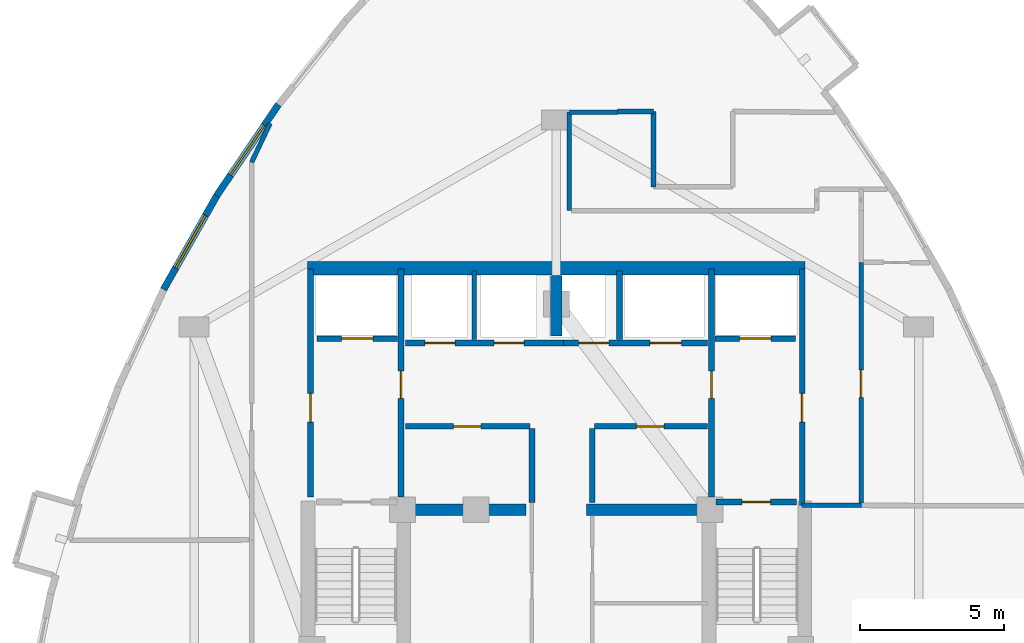
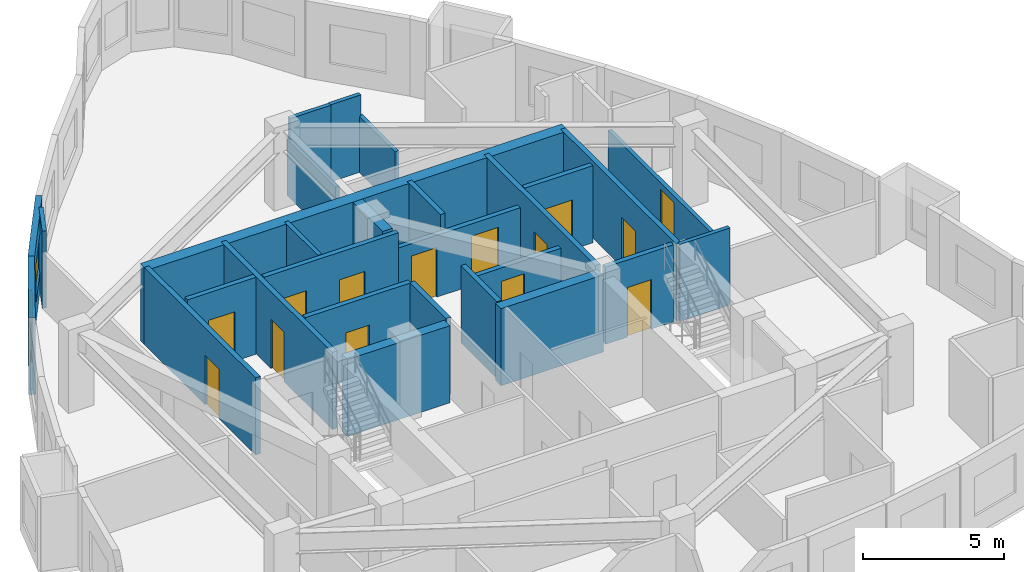
# One storey, part 5 of 8: 28 walls, 14 doors, 2 windows, 16 openings.
"""IFC4 building model written with IfcOpenShell, lengths in metres."""

from ifc_helpers import new_model, si_unit, direction, frame, frame_2d, origin, place, context, subcontext, project, spatial, rectangle, extrude, material, layer, layer_set, type_object, element, fill, save


model = new_model("IFC4")

# Units and contexts
model_context = context("Model", 3, precision=1e-05, world=origin(), true_north=direction((0.0, 1.0)))
body_context = subcontext(model_context, "Body", "Model", "MODEL_VIEW")
ifc_project = project(units=[si_unit("LENGTHUNIT", "METRE"), si_unit("AREAUNIT", "SQUARE_METRE"), si_unit("VOLUMEUNIT", "CUBIC_METRE"), si_unit("PLANEANGLEUNIT", "RADIAN"), si_unit("MASSUNIT", "GRAM", prefix="KILO")], contexts=[model_context])

# Site, building, storey
site_placement = place(None, origin())
site = spatial("IfcSite", under=ifc_project, at=site_placement, CompositionType="ELEMENT")
building_placement = place(site_placement, origin())
building = spatial("IfcBuilding", under=site, at=building_placement, Name="Miruveldt Soraemaru", CompositionType="ELEMENT")
storey_placement = place(building_placement, frame((0.0, 0.0, 237.60009765625)))
storey = spatial("IfcBuildingStorey", under=building, at=storey_placement, Name="L65", CompositionType="ELEMENT", Elevation=237.60009765625)

# Walls
ifc_material_1 = material(Name="Concrete C70/85 (70 MPa)", Category="concrete")
ifc_layer_1 = layer(ifc_material_1, 0.5, Name="Concrete C70/85 (70 MPa)", Category="concrete")
ifc_layer_set_1 = layer_set([ifc_layer_1], Name="Concrete C70/85 (70 MPa)")
wall_type_1 = type_object("IfcWallType", Name="WALL-BW-500", PredefinedType="SHEAR", material=ifc_layer_set_1)
wall_1_placement = place(storey_placement, frame((44.0, 50.10009765625, 0.0), z_axis=(0.0, 0.0, 1.0), x_axis=(0.0, 1.0, 0.0)))
element("IfcWall", 1, at=wall_1_placement, inside=storey, type_object=wall_type_1, Name="L65 Core Buttress Shear Wall BN", PredefinedType="SHEAR", context=body_context, shape_type="SweptSolid", body=[
    extrude(rectangle(XDim=2.099853515625, YDim=0.39990234375, at=frame_2d((1.0498046875, 0.0))), origin(), (0.0, 0.0, 1.0), 3.344970703125),
])
for number, where, z_axis, x_axis, name in (
    (2, (38.75, 44.050048828125, 0.0), (0.0, 0.0, 1.0), (1.0, 0.0, 0.0), "L65 Core Buttress Shear Wall BW"),
    (3, (45.050048828125, 44.050048828125, 0.0), (0.0, 0.0, 1.0), (1.0, 0.0, 0.0), "L65 Core Buttress Shear Wall BE"),
):
    element("IfcWall", number, at=place(storey_placement, frame(where, z_axis=z_axis, x_axis=x_axis)), inside=storey, type_object=wall_type_1, Name=name, PredefinedType="SHEAR", context=body_context, shape_type="SweptSolid", body=[
        extrude(rectangle(XDim=4.199951171875, YDim=0.39990234375, at=frame_2d((2.10009765625, 0.0))), origin(), (0.0, 0.0, 1.0), 3.344970703125),
    ])
ifc_material_2 = material(Name="Concrete C60/75 (60 MPa)", Category="concrete")
ifc_layer_2 = layer(ifc_material_2, 0.47998046875, Name="Concrete C60/75 (60 MPa)", Category="concrete")
ifc_layer_set_2 = layer_set([ifc_layer_2], Name="Concrete C60/75 (60 MPa)")
wall_type_2 = type_object("IfcWallType", Name="WALL-CW-480", PredefinedType="SHEAR", material=ifc_layer_set_2)
wall_2_placement = place(storey_placement, frame((35.35009765625, 52.449951171875, 0.0), z_axis=(0.0, 0.0, 1.0), x_axis=(1.0, 0.0, 0.0)))
element("IfcWall", 4, at=wall_2_placement, inside=storey, type_object=wall_type_2, Name="L65 Central Core Shear Wall N", PredefinedType="SHEAR", context=body_context, shape_type="SweptSolid", body=[
    extrude(rectangle(XDim=17.2998046875, YDim=0.47998046875, at=frame_2d((8.64990234375, 0.0))), origin(), (0.0, 0.0, 1.0), 3.344970703125),
])

# Wall, opening, window
ifc_material_3 = material(Name="Precast concrete C45/55 (45 MPa)", Category="concrete")
ifc_layer_3 = layer(ifc_material_3, 0.239990234375, Name="Precast concrete C45/55 (45 MPa)", Category="concrete")
ifc_layer_set_3 = layer_set([ifc_layer_3], Name="Precast concrete C45/55 (45 MPa)")
wall_type_3 = type_object("IfcWallType", Name="WALL-EXT-PC240", PredefinedType="SOLIDWALL", material=ifc_layer_set_3)
wall_3_placement = place(storey_placement, frame((34.33203125, 58.144287109375, 0.0), z_axis=(0.0, 0.0, 1.0), x_axis=(-0.560811544935, -0.827943483015, 0.0)))
wall_3 = element("IfcWall", 5, at=wall_3_placement, inside=storey, type_object=wall_type_3, Name="L65 Precast Concrete Facade Wall 9", PredefinedType="SOLIDWALL", context=body_context, shape_type="SweptSolid", body=[
    extrude(rectangle(XDim=3.8349609375, YDim=0.239990234375, at=frame_2d((1.91748046875, 0.0))), origin(), (0.0, 0.0, 1.0), 3.344970703125),
])
opening_1_placement = place(wall_3_placement, frame((0.866943359375, 0.0, 0.800048828125)))
opening_1 = element("IfcOpeningElement", 6, at=opening_1_placement, cuts=wall_3, Name="Opening WN-1", PredefinedType="OPENING", context=body_context, shape_type="SweptSolid", body=[
    extrude(rectangle(XDim=2.10009765625, YDim=1.699951171875, at=frame_2d((1.050048828125, 0.85009765625))), frame((0.0, 0.1298828125, 0.0), z_axis=(0.0, -1.0, 0.0), x_axis=(1.0, 0.0, 0.0)), (0.0, 0.0, 1.0), 0.260009765625),
])
ifc_material_4 = material(Name="Triple low-e insulated glazing", Category="glass")
window_type = type_object("IfcWindowType", Name="WIN-PUNCH-2100x1700", PartitioningType="SINGLE_PANEL", PredefinedType="WINDOW", material=ifc_material_4)
window_1_placement = place(opening_1_placement, origin())
window_1 = element("IfcWindow", 7, at=window_1_placement, inside=storey, type_object=window_type, Name="L65 Punched Triple-Glazed Window 09.1", OverallHeight=1.699951171875, OverallWidth=2.10009765625, PartitioningType="SINGLE_PANEL", PredefinedType="WINDOW", context=body_context, shape_type="SweptSolid", body=[
    extrude(rectangle(XDim=2.10009765625, YDim=1.699951171875, at=frame_2d((1.050048828125, 0.85009765625))), frame((0.0, 0.030029296875, 0.0), z_axis=(0.0, -1.0, 0.0), x_axis=(1.0, 0.0, 0.0)), (0.0, 0.0, 1.0), 0.06005859375),
])
fill(opening_1, window_1)

wall_4_placement = place(storey_placement, frame((32.218505859375, 55.028564453125, 0.0), z_axis=(0.0, 0.0, 1.0), x_axis=(-0.493418236868, -0.869792184103, 0.0)))
wall_4 = element("IfcWall", 8, at=wall_4_placement, inside=storey, type_object=wall_type_3, Name="L65 Precast Concrete Facade Wall 10", PredefinedType="SOLIDWALL", context=body_context, shape_type="SweptSolid", body=[
    extrude(rectangle(XDim=3.810791015625, YDim=0.239990234375, at=frame_2d((1.9052734375, 0.0))), origin(), (0.0, 0.0, 1.0), 3.344970703125),
])
opening_2_placement = place(wall_4_placement, frame((0.85498046875, 0.0, 0.800048828125)))
opening_2 = element("IfcOpeningElement", 9, at=opening_2_placement, cuts=wall_4, Name="Opening WN-1", PredefinedType="OPENING", context=body_context, shape_type="SweptSolid", body=[
    extrude(rectangle(XDim=2.10009765625, YDim=1.699951171875, at=frame_2d((1.050048828125, 0.85009765625))), frame((0.0, 0.1298828125, 0.0), z_axis=(0.0, -1.0, 0.0), x_axis=(1.0, 0.0, 0.0)), (0.0, 0.0, 1.0), 0.260009765625),
])
window_2_placement = place(opening_2_placement, origin())
window_2 = element("IfcWindow", 10, at=window_2_placement, inside=storey, type_object=window_type, Name="L65 Punched Triple-Glazed Window 10.1", OverallHeight=1.699951171875, OverallWidth=2.10009765625, PartitioningType="SINGLE_PANEL", PredefinedType="WINDOW", context=body_context, shape_type="SweptSolid", body=[
    extrude(rectangle(XDim=2.10009765625, YDim=1.699951171875, at=frame_2d((1.050048828125, 0.85009765625))), frame((0.0, 0.030029296875, 0.0), z_axis=(0.0, -1.0, 0.0), x_axis=(1.0, 0.0, 0.0)), (0.0, 0.0, 1.0), 0.06005859375),
])
fill(opening_2, window_2)

# Wall, opening, door
ifc_material_5 = material(Name="Concrete C40/50 (40 MPa)", Category="concrete")
ifc_layer_4 = layer(ifc_material_5, 0.159912109375, Name="Concrete C40/50 (40 MPa)", Category="concrete")
ifc_layer_set_4 = layer_set([ifc_layer_4], Name="Concrete C40/50 (40 MPa)")
wall_type_4 = type_object("IfcWallType", Name="WALL-INT-RC160", PredefinedType="SOLIDWALL", material=ifc_layer_set_4)
wall_5_placement = place(storey_placement, frame((54.60009765625, 44.2060546875, 0.0), z_axis=(0.0, 0.0, 1.0), x_axis=(0.0, 1.0, 0.0)))
wall_5 = element("IfcWall", 11, at=wall_5_placement, inside=storey, type_object=wall_type_4, Name="L65 Partition Wall 2", PredefinedType="SOLIDWALL", context=body_context, shape_type="SweptSolid", body=[
    extrude(rectangle(XDim=8.450927734375, YDim=0.159912109375, at=frame_2d((4.2255859375, 0.0))), origin(), (0.0, 0.0, 1.0), 2.432861328125),
])
opening_3_placement = place(wall_5_placement, frame((3.75, 0.0, 0.0)))
opening_3 = element("IfcOpeningElement", 12, at=opening_3_placement, cuts=wall_5, Name="Opening FD2", PredefinedType="OPENING", context=body_context, shape_type="SweptSolid", body=[
    extrude(rectangle(XDim=0.949951171875, YDim=2.14990234375, at=frame_2d((0.47509765625, 1.074951171875))), frame((0.0, 0.08984375, 0.0), z_axis=(0.0, -1.0, 0.0), x_axis=(1.0, 0.0, 0.0)), (0.0, 0.0, 1.0), 0.179931640625),
])
ifc_material_6 = material(Name="Anodised aluminium EN AW-6063 T6", Category="aluminium")
door_type_1 = type_object("IfcDoorType", Name="DOOR-FD2-950", OperationType="NOTDEFINED", PredefinedType="DOOR", material=ifc_material_6)
door_1_placement = place(opening_3_placement, origin())
door_1 = element("IfcDoor", 13, at=door_1_placement, inside=storey, type_object=door_type_1, Name="L65 Unit 6502 Entrance Fire Door", OperationType="SINGLE_SWING_RIGHT", OverallHeight=2.14990234375, OverallWidth=0.949951171875, PredefinedType="DOOR", context=body_context, shape_type="SweptSolid", body=[
    extrude(rectangle(XDim=0.949951171875, YDim=2.14990234375, at=frame_2d((0.47509765625, 1.074951171875))), frame((0.0, 0.02490234375, 0.0), z_axis=(0.0, -1.0, 0.0), x_axis=(1.0, 0.0, 0.0)), (0.0, 0.0, 1.0), 0.050048828125),
])
fill(opening_3, door_1)

# Walls
wall_6_placement = place(storey_placement, frame((44.449951171875, 54.449951171875, 0.0), z_axis=(0.0, 0.0, 1.0), x_axis=(0.0, 1.0, 0.0)))
element("IfcWall", 14, at=wall_6_placement, inside=storey, type_object=wall_type_4, Name="L65 Partition Wall 35", PredefinedType="SOLIDWALL", context=body_context, shape_type="SweptSolid", body=[
    extrude(rectangle(XDim=3.429931640625, YDim=0.159912109375, at=frame_2d((1.71484375, 0.0))), origin(), (0.0, 0.0, 1.0), 2.432861328125),
])
wall_7_placement = place(storey_placement, frame((47.3798828125, 57.903076171875, 0.0), z_axis=(0.0, 0.0, 1.0), x_axis=(0.0, -1.0, 0.0)))
element("IfcWall", 15, at=wall_7_placement, inside=storey, type_object=wall_type_4, Name="L65 Partition Wall 38", PredefinedType="SOLIDWALL", context=body_context, shape_type="SweptSolid", body=[
    extrude(rectangle(XDim=2.623046875, YDim=0.159912109375, at=frame_2d((1.3115234375, 0.0))), origin(), (0.0, 0.0, 1.0), 2.432861328125),
])
wall_8_placement = place(storey_placement, frame((41.14990234375, 49.97998046875, 0.0), z_axis=(0.0, 0.0, 1.0), x_axis=(0.0, 1.0, 0.0)))
element("IfcWall", 16, at=wall_8_placement, inside=storey, type_object=wall_type_4, Name="L65 Core Compartment Wall PLH-DIV1", PredefinedType="SOLIDWALL", context=body_context, shape_type="SweptSolid", body=[
    extrude(rectangle(XDim=2.3701171875, YDim=0.159912109375, at=frame_2d((1.18505859375, 0.0))), origin(), (0.0, 0.0, 1.0), 3.344970703125),
])
wall_9_placement = place(storey_placement, frame((52.550048828125, 44.199951171875, 0.0), z_axis=(0.0, 0.0, 1.0), x_axis=(1.0, 0.0, 0.0)))
element("IfcWall", 17, at=wall_9_placement, inside=storey, type_object=wall_type_4, Name="L65 Partition Wall 15", PredefinedType="SOLIDWALL", context=body_context, shape_type="SweptSolid", body=[
    extrude(rectangle(XDim=2.06005859375, YDim=0.159912109375, at=frame_2d((1.030029296875, 0.0))), origin(), (0.0, 0.0, 1.0), 3.344970703125),
])
wall_10_placement = place(storey_placement, frame((44.449951171875, 57.8798828125, 0.0), z_axis=(0.0, 0.0, 1.0), x_axis=(1.0, 0.0, 0.0)))
element("IfcWall", 18, at=wall_10_placement, inside=storey, type_object=wall_type_4, Name="L65 Partition Wall 36", PredefinedType="SOLIDWALL", context=body_context, shape_type="SweptSolid", body=[
    extrude(rectangle(XDim=1.679931640625, YDim=0.159912109375, at=frame_2d((0.83984375, 0.0))), origin(), (0.0, 0.0, 1.0), 3.344970703125),
])
wall_11_placement = place(storey_placement, frame((33.39990234375, 56.134033203125, 0.0), z_axis=(0.0, 0.0, 1.0), x_axis=(0.428987208027, 0.903310564175, 0.0)))
element("IfcWall", 19, at=wall_11_placement, inside=storey, type_object=wall_type_4, Name="L65 Partition Pier Closure Return 1", PredefinedType="SOLIDWALL", context=body_context, shape_type="SweptSolid", body=[
    extrude(rectangle(XDim=1.50244140625, YDim=0.159912109375, at=frame_2d((0.751220703125, 0.0))), origin(), (0.0, 0.0, 1.0), 3.344970703125),
])
wall_12_placement = place(storey_placement, frame((46.1298828125, 57.903076171875, 0.0), z_axis=(0.0, 0.0, 1.0), x_axis=(1.0, 0.0, 0.0)))
element("IfcWall", 20, at=wall_12_placement, inside=storey, type_object=wall_type_4, Name="L65 Partition Wall 37", PredefinedType="SOLIDWALL", context=body_context, shape_type="SweptSolid", body=[
    extrude(rectangle(XDim=1.25, YDim=0.159912109375, at=frame_2d((0.625, 0.0))), origin(), (0.0, 0.0, 1.0), 3.344970703125),
])

# Wall, opening, door
ifc_layer_5 = layer(ifc_material_5, 0.199951171875, Name="Concrete C40/50 (40 MPa)", Category="concrete")
ifc_layer_set_5 = layer_set([ifc_layer_5], Name="Concrete C40/50 (40 MPa)")
wall_type_5 = type_object("IfcWallType", Name="WALL-INT-RC200", PredefinedType="SOLIDWALL", material=ifc_layer_set_5)
wall_13_placement = place(storey_placement, frame((52.550048828125, 44.199951171875, 0.0), z_axis=(0.0, 0.0, 1.0), x_axis=(0.0, 1.0, 0.0)))
wall_13 = element("IfcWall", 21, at=wall_13_placement, inside=storey, type_object=wall_type_5, Name="L65 Core Compartment Wall FFE-OUT", PredefinedType="SOLIDWALL", context=body_context, shape_type="SweptSolid", body=[
    extrude(rectangle(XDim=8.219970703125, YDim=0.199951171875, at=frame_2d((4.10986328125, 0.0))), origin(), (0.0, 0.0, 1.0), 3.344970703125),
])
opening_4_placement = place(wall_13_placement, frame((2.89990234375, 0.0, 0.0)))
opening_4 = element("IfcOpeningElement", 22, at=opening_4_placement, cuts=wall_13, Name="Opening FD1", PredefinedType="OPENING", context=body_context, shape_type="SweptSolid", body=[
    extrude(rectangle(XDim=1.0, YDim=2.14990234375, at=frame_2d((0.5, 1.074951171875))), frame((0.0, 0.10986328125, 0.0), z_axis=(0.0, -1.0, 0.0), x_axis=(1.0, 0.0, 0.0)), (0.0, 0.0, 1.0), 0.219970703125),
])
door_type_2 = type_object("IfcDoorType", Name="DOOR-FD1-1000", OperationType="NOTDEFINED", PredefinedType="DOOR", material=ifc_material_6)
door_2_placement = place(opening_4_placement, frame((1.0, 0.0, 0.0), z_axis=(0.0, 0.0, 1.0), x_axis=(-1.0, 0.0, 0.0)))
door_2 = element("IfcDoor", 23, at=door_2_placement, inside=storey, type_object=door_type_2, Name="L65 East Firefighting Lobby Exit Door", OperationType="SINGLE_SWING_RIGHT", OverallHeight=2.14990234375, OverallWidth=1.0, PredefinedType="DOOR", context=body_context, shape_type="SweptSolid", body=[
    extrude(rectangle(XDim=1.0, YDim=2.14990234375, at=frame_2d((0.5, 1.074951171875))), frame((0.0, 0.02490234375, 0.0), z_axis=(0.0, -1.0, 0.0), x_axis=(1.0, 0.0, 0.0)), (0.0, 0.0, 1.0), 0.050048828125),
])
fill(opening_4, door_2)

wall_14_placement = place(storey_placement, frame((35.449951171875, 44.5, 0.0), z_axis=(0.0, 0.0, 1.0), x_axis=(0.0, 1.0, 0.0)))
wall_14 = element("IfcWall", 24, at=wall_14_placement, inside=storey, type_object=wall_type_5, Name="L65 Core Compartment Wall FFW-OUT", PredefinedType="SOLIDWALL", context=body_context, shape_type="SweptSolid", body=[
    extrude(rectangle(XDim=7.919921875, YDim=0.199951171875, at=frame_2d((3.9599609375, 0.0))), origin(), (0.0, 0.0, 1.0), 3.344970703125),
])
opening_5_placement = place(wall_14_placement, frame((2.60009765625, 0.0, 0.0)))
opening_5 = element("IfcOpeningElement", 25, at=opening_5_placement, cuts=wall_14, Name="Opening FD1", PredefinedType="OPENING", context=body_context, shape_type="SweptSolid", body=[
    extrude(rectangle(XDim=1.0, YDim=2.14990234375, at=frame_2d((0.5, 1.074951171875))), frame((0.0, 0.10986328125, 0.0), z_axis=(0.0, -1.0, 0.0), x_axis=(1.0, 0.0, 0.0)), (0.0, 0.0, 1.0), 0.219970703125),
])
door_3_placement = place(opening_5_placement, origin())
door_3 = element("IfcDoor", 26, at=door_3_placement, inside=storey, type_object=door_type_2, Name="L65 West Firefighting Lobby Exit Door", OperationType="SINGLE_SWING_LEFT", OverallHeight=2.14990234375, OverallWidth=1.0, PredefinedType="DOOR", context=body_context, shape_type="SweptSolid", body=[
    extrude(rectangle(XDim=1.0, YDim=2.14990234375, at=frame_2d((0.5, 1.074951171875))), frame((0.0, 0.02490234375, 0.0), z_axis=(0.0, -1.0, 0.0), x_axis=(1.0, 0.0, 0.0)), (0.0, 0.0, 1.0), 0.050048828125),
])
fill(opening_5, door_3)

wall_15_placement = place(storey_placement, frame((38.60009765625, 44.5, 0.0), z_axis=(0.0, 0.0, 1.0), x_axis=(0.0, 1.0, 0.0)))
wall_15 = element("IfcWall", 27, at=wall_15_placement, inside=storey, type_object=wall_type_5, Name="L65 Core Compartment Wall FFW-IN", PredefinedType="SOLIDWALL", context=body_context, shape_type="SweptSolid", body=[
    extrude(rectangle(XDim=7.919921875, YDim=0.199951171875, at=frame_2d((3.9599609375, 0.0))), origin(), (0.0, 0.0, 1.0), 3.344970703125),
])
opening_6_placement = place(wall_15_placement, frame((3.425048828125, 0.0, 0.0)))
opening_6 = element("IfcOpeningElement", 28, at=opening_6_placement, cuts=wall_15, Name="Opening FD2", PredefinedType="OPENING", context=body_context, shape_type="SweptSolid", body=[
    extrude(rectangle(XDim=0.949951171875, YDim=2.14990234375, at=frame_2d((0.47509765625, 1.074951171875))), frame((0.0, 0.10986328125, 0.0), z_axis=(0.0, -1.0, 0.0), x_axis=(1.0, 0.0, 0.0)), (0.0, 0.0, 1.0), 0.219970703125),
])
door_4_placement = place(opening_6_placement, frame((0.949951171875, 0.0, 0.0), z_axis=(0.0, 0.0, 1.0), x_axis=(-1.0, 0.0, 0.0)))
door_4 = element("IfcDoor", 29, at=door_4_placement, inside=storey, type_object=door_type_1, Name="L65 Lift Lobby to West Fire Lobby Door", OperationType="SINGLE_SWING_RIGHT", OverallHeight=2.14990234375, OverallWidth=0.949951171875, PredefinedType="DOOR", context=body_context, shape_type="SweptSolid", body=[
    extrude(rectangle(XDim=0.949951171875, YDim=2.14990234375, at=frame_2d((0.47509765625, 1.074951171875))), frame((0.0, 0.02490234375, 0.0), z_axis=(0.0, -1.0, 0.0), x_axis=(1.0, 0.0, 0.0)), (0.0, 0.0, 1.0), 0.050048828125),
])
fill(opening_6, door_4)

wall_16_placement = place(storey_placement, frame((49.39990234375, 44.5, 0.0), z_axis=(0.0, 0.0, 1.0), x_axis=(0.0, 1.0, 0.0)))
wall_16 = element("IfcWall", 30, at=wall_16_placement, inside=storey, type_object=wall_type_5, Name="L65 Core Compartment Wall FFE-IN", PredefinedType="SOLIDWALL", context=body_context, shape_type="SweptSolid", body=[
    extrude(rectangle(XDim=7.919921875, YDim=0.199951171875, at=frame_2d((3.9599609375, 0.0))), origin(), (0.0, 0.0, 1.0), 3.344970703125),
])
opening_7_placement = place(wall_16_placement, frame((3.425048828125, 0.0, 0.0)))
opening_7 = element("IfcOpeningElement", 31, at=opening_7_placement, cuts=wall_16, Name="Opening FD2", PredefinedType="OPENING", context=body_context, shape_type="SweptSolid", body=[
    extrude(rectangle(XDim=0.949951171875, YDim=2.14990234375, at=frame_2d((0.47509765625, 1.074951171875))), frame((0.0, 0.10986328125, 0.0), z_axis=(0.0, -1.0, 0.0), x_axis=(1.0, 0.0, 0.0)), (0.0, 0.0, 1.0), 0.219970703125),
])
door_5_placement = place(opening_7_placement, origin())
door_5 = element("IfcDoor", 32, at=door_5_placement, inside=storey, type_object=door_type_1, Name="L65 Lift Lobby to East Fire Lobby Door", OperationType="SINGLE_SWING_LEFT", OverallHeight=2.14990234375, OverallWidth=0.949951171875, PredefinedType="DOOR", context=body_context, shape_type="SweptSolid", body=[
    extrude(rectangle(XDim=0.949951171875, YDim=2.14990234375, at=frame_2d((0.47509765625, 1.074951171875))), frame((0.0, 0.02490234375, 0.0), z_axis=(0.0, -1.0, 0.0), x_axis=(1.0, 0.0, 0.0)), (0.0, 0.0, 1.0), 0.050048828125),
])
fill(opening_7, door_5)

# Wall, openings, doors
wall_17_placement = place(storey_placement, frame((38.75, 49.85009765625, 0.0), z_axis=(0.0, 0.0, 1.0), x_axis=(1.0, 0.0, 0.0)))
wall_17 = element("IfcWall", 33, at=wall_17_placement, inside=storey, type_object=wall_type_5, Name="L65 Core Compartment Wall ROWA-SW", PredefinedType="SOLIDWALL", context=body_context, shape_type="SweptSolid", body=[
    extrude(rectangle(XDim=5.5, YDim=0.199951171875, at=frame_2d((2.75, 0.0))), origin(), (0.0, 0.0, 1.0), 3.344970703125),
])
opening_8_placement = place(wall_17_placement, frame((0.675048828125, 0.0, 0.0)))
opening_8 = element("IfcOpeningElement", 34, at=opening_8_placement, cuts=wall_17, Name="Opening LD1", PredefinedType="OPENING", context=body_context, shape_type="SweptSolid", body=[
    extrude(rectangle(XDim=1.050048828125, YDim=2.14990234375, at=frame_2d((0.52490234375, 1.074951171875))), frame((0.0, 0.10986328125, 0.0), z_axis=(0.0, -1.0, 0.0), x_axis=(1.0, 0.0, 0.0)), (0.0, 0.0, 1.0), 0.219970703125),
])
opening_9_placement = place(wall_17_placement, frame((3.074951171875, 0.0, 0.0)))
opening_9 = element("IfcOpeningElement", 35, at=opening_9_placement, cuts=wall_17, Name="Opening LD1", PredefinedType="OPENING", context=body_context, shape_type="SweptSolid", body=[
    extrude(rectangle(XDim=1.050048828125, YDim=2.14990234375, at=frame_2d((0.52490234375, 1.074951171875))), frame((0.0, 0.10986328125, 0.0), z_axis=(0.0, -1.0, 0.0), x_axis=(1.0, 0.0, 0.0)), (0.0, 0.0, 1.0), 0.219970703125),
])
door_type_3 = type_object("IfcDoorType", Name="DOOR-LD1-1050", OperationType="SLIDING_TO_LEFT", PredefinedType="DOOR", material=ifc_material_6)
door_6_placement = place(opening_8_placement, origin())
door_6 = element("IfcDoor", 36, at=door_6_placement, inside=storey, type_object=door_type_3, Name="L65 PL-H1 Landing Door", OperationType="SLIDING_TO_LEFT", OverallHeight=2.14990234375, OverallWidth=1.050048828125, PredefinedType="DOOR", context=body_context, shape_type="SweptSolid", body=[
    extrude(rectangle(XDim=1.050048828125, YDim=2.14990234375, at=frame_2d((0.52490234375, 1.074951171875))), frame((0.0, 0.02490234375, 0.0), z_axis=(0.0, -1.0, 0.0), x_axis=(1.0, 0.0, 0.0)), (0.0, 0.0, 1.0), 0.050048828125),
])
fill(opening_8, door_6)
door_7_placement = place(opening_9_placement, origin())
door_7 = element("IfcDoor", 37, at=door_7_placement, inside=storey, type_object=door_type_3, Name="L65 PL-H2 Landing Door", OperationType="SLIDING_TO_LEFT", OverallHeight=2.14990234375, OverallWidth=1.050048828125, PredefinedType="DOOR", context=body_context, shape_type="SweptSolid", body=[
    extrude(rectangle(XDim=1.050048828125, YDim=2.14990234375, at=frame_2d((0.52490234375, 1.074951171875))), frame((0.0, 0.02490234375, 0.0), z_axis=(0.0, -1.0, 0.0), x_axis=(1.0, 0.0, 0.0)), (0.0, 0.0, 1.0), 0.050048828125),
])
fill(opening_9, door_7)

wall_18_placement = place(storey_placement, frame((44.25, 49.85009765625, 0.0), z_axis=(0.0, 0.0, 1.0), x_axis=(1.0, 0.0, 0.0)))
wall_18 = element("IfcWall", 38, at=wall_18_placement, inside=storey, type_object=wall_type_5, Name="L65 Core Compartment Wall ROWA-SE", PredefinedType="SOLIDWALL", context=body_context, shape_type="SweptSolid", body=[
    extrude(rectangle(XDim=5.0, YDim=0.199951171875, at=frame_2d((2.5, 0.0))), origin(), (0.0, 0.0, 1.0), 2.682861328125),
])
opening_10_placement = place(wall_18_placement, frame((0.52490234375, 0.0, 0.0)))
opening_10 = element("IfcOpeningElement", 39, at=opening_10_placement, cuts=wall_18, Name="Opening LD1", PredefinedType="OPENING", context=body_context, shape_type="SweptSolid", body=[
    extrude(rectangle(XDim=1.050048828125, YDim=2.14990234375, at=frame_2d((0.52490234375, 1.074951171875))), frame((0.0, 0.10986328125, 0.0), z_axis=(0.0, -1.0, 0.0), x_axis=(1.0, 0.0, 0.0)), (0.0, 0.0, 1.0), 0.219970703125),
])
opening_11_placement = place(wall_18_placement, frame((3.0, 0.0, 0.0)))
opening_11 = element("IfcOpeningElement", 40, at=opening_11_placement, cuts=wall_18, Name="Opening LD2", PredefinedType="OPENING", context=body_context, shape_type="SweptSolid", body=[
    extrude(rectangle(XDim=1.10009765625, YDim=2.14990234375, at=frame_2d((0.550048828125, 1.074951171875))), frame((0.0, 0.10986328125, 0.0), z_axis=(0.0, -1.0, 0.0), x_axis=(1.0, 0.0, 0.0)), (0.0, 0.0, 1.0), 0.219970703125),
])
door_8_placement = place(opening_10_placement, origin())
door_8 = element("IfcDoor", 41, at=door_8_placement, inside=storey, type_object=door_type_3, Name="L65 PL-H3 Landing Door", OperationType="SLIDING_TO_LEFT", OverallHeight=2.14990234375, OverallWidth=1.050048828125, PredefinedType="DOOR", context=body_context, shape_type="SweptSolid", body=[
    extrude(rectangle(XDim=1.050048828125, YDim=2.14990234375, at=frame_2d((0.52490234375, 1.074951171875))), frame((0.0, 0.02490234375, 0.0), z_axis=(0.0, -1.0, 0.0), x_axis=(1.0, 0.0, 0.0)), (0.0, 0.0, 1.0), 0.050048828125),
])
fill(opening_10, door_8)
door_type_4 = type_object("IfcDoorType", Name="DOOR-LD2-1100", OperationType="SLIDING_TO_LEFT", PredefinedType="DOOR", material=ifc_material_6)
door_9_placement = place(opening_11_placement, origin())
door_9 = element("IfcDoor", 42, at=door_9_placement, inside=storey, type_object=door_type_4, Name="L65 SL-1 Landing Door", OperationType="SLIDING_TO_LEFT", OverallHeight=2.14990234375, OverallWidth=1.10009765625, PredefinedType="DOOR", context=body_context, shape_type="SweptSolid", body=[
    extrude(rectangle(XDim=1.10009765625, YDim=2.14990234375, at=frame_2d((0.550048828125, 1.074951171875))), frame((0.0, 0.02490234375, 0.0), z_axis=(0.0, -1.0, 0.0), x_axis=(1.0, 0.0, 0.0)), (0.0, 0.0, 1.0), 0.050048828125),
])
fill(opening_11, door_9)

# Wall, opening, door
wall_19_placement = place(storey_placement, frame((38.75, 46.949951171875, 0.0), z_axis=(0.0, 0.0, 1.0), x_axis=(1.0, 0.0, 0.0)))
wall_19 = element("IfcWall", 43, at=wall_19_placement, inside=storey, type_object=wall_type_5, Name="L65 Core Compartment Wall MBW-N", PredefinedType="SOLIDWALL", context=body_context, shape_type="SweptSolid", body=[
    extrude(rectangle(XDim=4.330078125, YDim=0.199951171875, at=frame_2d((2.1650390625, 0.0))), origin(), (0.0, 0.0, 1.0), 3.344970703125),
])
opening_12_placement = place(wall_19_placement, frame((1.675048828125, 0.0, 0.0)))
opening_12 = element("IfcOpeningElement", 44, at=opening_12_placement, cuts=wall_19, Name="Opening D2", PredefinedType="OPENING", context=body_context, shape_type="SweptSolid", body=[
    extrude(rectangle(XDim=0.949951171875, YDim=2.10009765625, at=frame_2d((0.47509765625, 1.050048828125))), frame((0.0, 0.10986328125, 0.0), z_axis=(0.0, -1.0, 0.0), x_axis=(1.0, 0.0, 0.0)), (0.0, 0.0, 1.0), 0.219970703125),
])
door_type_5 = type_object("IfcDoorType", Name="DOOR-INT-950", OperationType="NOTDEFINED", PredefinedType="DOOR", material=ifc_material_6)
door_10_placement = place(opening_12_placement, origin())
door_10 = element("IfcDoor", 45, at=door_10_placement, inside=storey, type_object=door_type_5, Name="L65 Fire Door", OperationType="SINGLE_SWING_LEFT", OverallHeight=2.10009765625, OverallWidth=0.949951171875, PredefinedType="DOOR", context=body_context, shape_type="SweptSolid", body=[
    extrude(rectangle(XDim=0.949951171875, YDim=2.10009765625, at=frame_2d((0.47509765625, 1.050048828125))), frame((0.0, 0.02490234375, 0.0), z_axis=(0.0, -1.0, 0.0), x_axis=(1.0, 0.0, 0.0)), (0.0, 0.0, 1.0), 0.050048828125),
])
fill(opening_12, door_10)

wall_20_placement = place(storey_placement, frame((45.320068359375, 46.949951171875, 0.0), z_axis=(0.0, 0.0, 1.0), x_axis=(1.0, 0.0, 0.0)))
wall_20 = element("IfcWall", 46, at=wall_20_placement, inside=storey, type_object=wall_type_5, Name="L65 Core Compartment Wall MBE-N", PredefinedType="SOLIDWALL", context=body_context, shape_type="SweptSolid", body=[
    extrude(rectangle(XDim=3.929931640625, YDim=0.199951171875, at=frame_2d((1.96484375, 0.0))), origin(), (0.0, 0.0, 1.0), 2.682861328125),
])
opening_13_placement = place(wall_20_placement, frame((1.47509765625, 0.0, 0.0)))
opening_13 = element("IfcOpeningElement", 47, at=opening_13_placement, cuts=wall_20, Name="Opening D2", PredefinedType="OPENING", context=body_context, shape_type="SweptSolid", body=[
    extrude(rectangle(XDim=0.949951171875, YDim=2.10009765625, at=frame_2d((0.47509765625, 1.050048828125))), frame((0.0, 0.10986328125, 0.0), z_axis=(0.0, -1.0, 0.0), x_axis=(1.0, 0.0, 0.0)), (0.0, 0.0, 1.0), 0.219970703125),
])
door_11_placement = place(opening_13_placement, origin())
door_11 = element("IfcDoor", 48, at=door_11_placement, inside=storey, type_object=door_type_5, Name="L65 Fire Door", OperationType="SINGLE_SWING_LEFT", OverallHeight=2.10009765625, OverallWidth=0.949951171875, PredefinedType="DOOR", context=body_context, shape_type="SweptSolid", body=[
    extrude(rectangle(XDim=0.949951171875, YDim=2.10009765625, at=frame_2d((0.47509765625, 1.050048828125))), frame((0.0, 0.02490234375, 0.0), z_axis=(0.0, -1.0, 0.0), x_axis=(1.0, 0.0, 0.0)), (0.0, 0.0, 1.0), 0.050048828125),
])
fill(opening_13, door_11)

wall_21_placement = place(storey_placement, frame((49.550048828125, 44.320068359375, 0.0), z_axis=(0.0, 0.0, 1.0), x_axis=(1.0, 0.0, 0.0)))
wall_21 = element("IfcWall", 49, at=wall_21_placement, inside=storey, type_object=wall_type_5, Name="L65 Core Compartment Wall ST2-N", PredefinedType="SOLIDWALL", context=body_context, shape_type="SweptSolid", body=[
    extrude(rectangle(XDim=2.800048828125, YDim=0.199951171875, at=frame_2d((1.39990234375, 0.0))), origin(), (0.0, 0.0, 1.0), 3.344970703125),
])
opening_14_placement = place(wall_21_placement, frame((0.89990234375, 0.0, 0.0)))
opening_14 = element("IfcOpeningElement", 50, at=opening_14_placement, cuts=wall_21, Name="Opening FD1", PredefinedType="OPENING", context=body_context, shape_type="SweptSolid", body=[
    extrude(rectangle(XDim=1.0, YDim=2.14990234375, at=frame_2d((0.5, 1.074951171875))), frame((0.0, 0.10986328125, 0.0), z_axis=(0.0, -1.0, 0.0), x_axis=(1.0, 0.0, 0.0)), (0.0, 0.0, 1.0), 0.219970703125),
])
door_12_placement = place(opening_14_placement, frame((1.0, 0.0, 0.0), z_axis=(0.0, 0.0, 1.0), x_axis=(-1.0, 0.0, 0.0)))
door_12 = element("IfcDoor", 51, at=door_12_placement, inside=storey, type_object=door_type_2, Name="L65 Stair ST-2 Fire Door", OperationType="SINGLE_SWING_RIGHT", OverallHeight=2.14990234375, OverallWidth=1.0, PredefinedType="DOOR", context=body_context, shape_type="SweptSolid", body=[
    extrude(rectangle(XDim=1.0, YDim=2.14990234375, at=frame_2d((0.5, 1.074951171875))), frame((0.0, 0.02490234375, 0.0), z_axis=(0.0, -1.0, 0.0), x_axis=(1.0, 0.0, 0.0)), (0.0, 0.0, 1.0), 0.050048828125),
])
fill(opening_14, door_12)

wall_22_placement = place(storey_placement, frame((35.679931640625, 50.0, 0.0), z_axis=(0.0, 0.0, 1.0), x_axis=(1.0, 0.0, 0.0)))
wall_22 = element("IfcWall", 52, at=wall_22_placement, inside=storey, type_object=wall_type_5, Name="L65 Core Compartment Wall FFL1-S", PredefinedType="SOLIDWALL", context=body_context, shape_type="SweptSolid", body=[
    extrude(rectangle(XDim=2.800048828125, YDim=0.199951171875, at=frame_2d((1.39990234375, 0.0))), origin(), (0.0, 0.0, 1.0), 3.344970703125),
])
opening_15_placement = place(wall_22_placement, frame((0.85009765625, 0.0, 0.0)))
opening_15 = element("IfcOpeningElement", 53, at=opening_15_placement, cuts=wall_22, Name="Opening LD2", PredefinedType="OPENING", context=body_context, shape_type="SweptSolid", body=[
    extrude(rectangle(XDim=1.10009765625, YDim=2.14990234375, at=frame_2d((0.550048828125, 1.074951171875))), frame((0.0, 0.10986328125, 0.0), z_axis=(0.0, -1.0, 0.0), x_axis=(1.0, 0.0, 0.0)), (0.0, 0.0, 1.0), 0.219970703125),
])
door_13_placement = place(opening_15_placement, origin())
door_13 = element("IfcDoor", 54, at=door_13_placement, inside=storey, type_object=door_type_4, Name="L65 FFL-1 Landing Door", OperationType="SLIDING_TO_LEFT", OverallHeight=2.14990234375, OverallWidth=1.10009765625, PredefinedType="DOOR", context=body_context, shape_type="SweptSolid", body=[
    extrude(rectangle(XDim=1.10009765625, YDim=2.14990234375, at=frame_2d((0.550048828125, 1.074951171875))), frame((0.0, 0.02490234375, 0.0), z_axis=(0.0, -1.0, 0.0), x_axis=(1.0, 0.0, 0.0)), (0.0, 0.0, 1.0), 0.050048828125),
])
fill(opening_15, door_13)

wall_23_placement = place(storey_placement, frame((49.52001953125, 50.0, 0.0), z_axis=(0.0, 0.0, 1.0), x_axis=(1.0, 0.0, 0.0)))
wall_23 = element("IfcWall", 55, at=wall_23_placement, inside=storey, type_object=wall_type_5, Name="L65 Core Compartment Wall FFL2-S", PredefinedType="SOLIDWALL", context=body_context, shape_type="SweptSolid", body=[
    extrude(rectangle(XDim=2.800048828125, YDim=0.199951171875, at=frame_2d((1.39990234375, 0.0))), origin(), (0.0, 0.0, 1.0), 3.344970703125),
])
opening_16_placement = place(wall_23_placement, frame((0.85009765625, 0.0, 0.0)))
opening_16 = element("IfcOpeningElement", 56, at=opening_16_placement, cuts=wall_23, Name="Opening LD2", PredefinedType="OPENING", context=body_context, shape_type="SweptSolid", body=[
    extrude(rectangle(XDim=1.10009765625, YDim=2.14990234375, at=frame_2d((0.550048828125, 1.074951171875))), frame((0.0, 0.10986328125, 0.0), z_axis=(0.0, -1.0, 0.0), x_axis=(1.0, 0.0, 0.0)), (0.0, 0.0, 1.0), 0.219970703125),
])
door_14_placement = place(opening_16_placement, origin())
door_14 = element("IfcDoor", 57, at=door_14_placement, inside=storey, type_object=door_type_4, Name="L65 FFL-2 Landing Door", OperationType="SLIDING_TO_LEFT", OverallHeight=2.14990234375, OverallWidth=1.10009765625, PredefinedType="DOOR", context=body_context, shape_type="SweptSolid", body=[
    extrude(rectangle(XDim=1.10009765625, YDim=2.14990234375, at=frame_2d((0.550048828125, 1.074951171875))), frame((0.0, 0.02490234375, 0.0), z_axis=(0.0, -1.0, 0.0), x_axis=(1.0, 0.0, 0.0)), (0.0, 0.0, 1.0), 0.050048828125),
])
fill(opening_16, door_14)

# Walls
for number, where, z_axis, x_axis, name in (
    (58, (43.14990234375, 44.300048828125, 0.0), (0.0, 0.0, 1.0), (0.0, 1.0, 0.0), "L65 Core Compartment Wall SP-WB"),
    (59, (45.25, 44.300048828125, 0.0), (0.0, 0.0, 1.0), (0.0, 1.0, 0.0), "L65 Core Compartment Wall SP-EB"),
):
    element("IfcWall", number, at=place(storey_placement, frame(where, z_axis=z_axis, x_axis=x_axis)), inside=storey, type_object=wall_type_5, Name=name, PredefinedType="SOLIDWALL", context=body_context, shape_type="SweptSolid", body=[
        extrude(rectangle(XDim=2.579833984375, YDim=0.199951171875, at=frame_2d((1.2900390625, 0.0))), origin(), (0.0, 0.0, 1.0), 3.344970703125),
    ])
wall_24_placement = place(storey_placement, frame((46.199951171875, 49.97998046875, 0.0), z_axis=(0.0, 0.0, 1.0), x_axis=(0.0, 1.0, 0.0)))
element("IfcWall", 60, at=wall_24_placement, inside=storey, type_object=wall_type_5, Name="L65 Core Compartment Wall PLH-SL-DIV", PredefinedType="SOLIDWALL", context=body_context, shape_type="SweptSolid", body=[
    extrude(rectangle(XDim=2.3701171875, YDim=0.199951171875, at=frame_2d((1.18505859375, 0.0))), origin(), (0.0, 0.0, 1.0), 3.344970703125),
])

save(model, "model.ifc")
